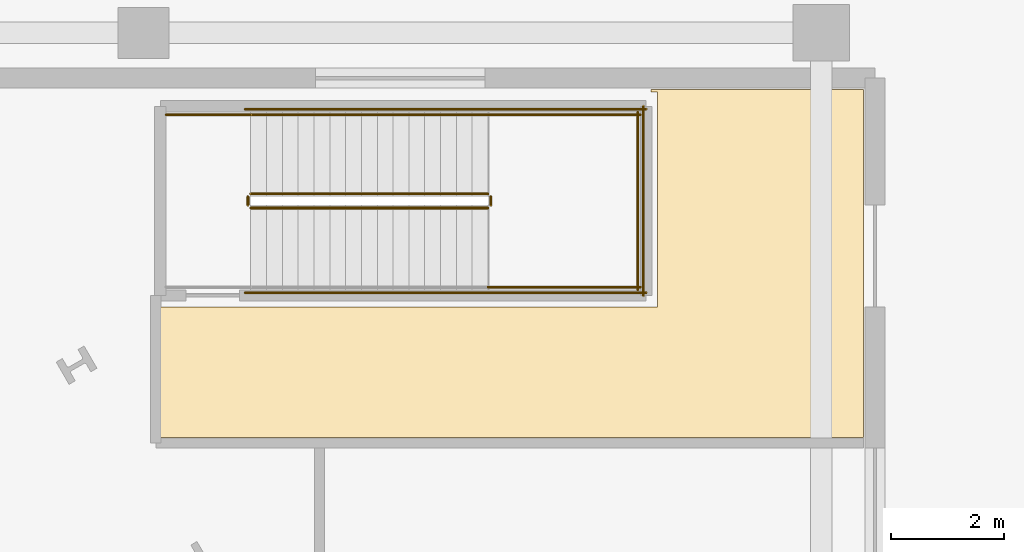
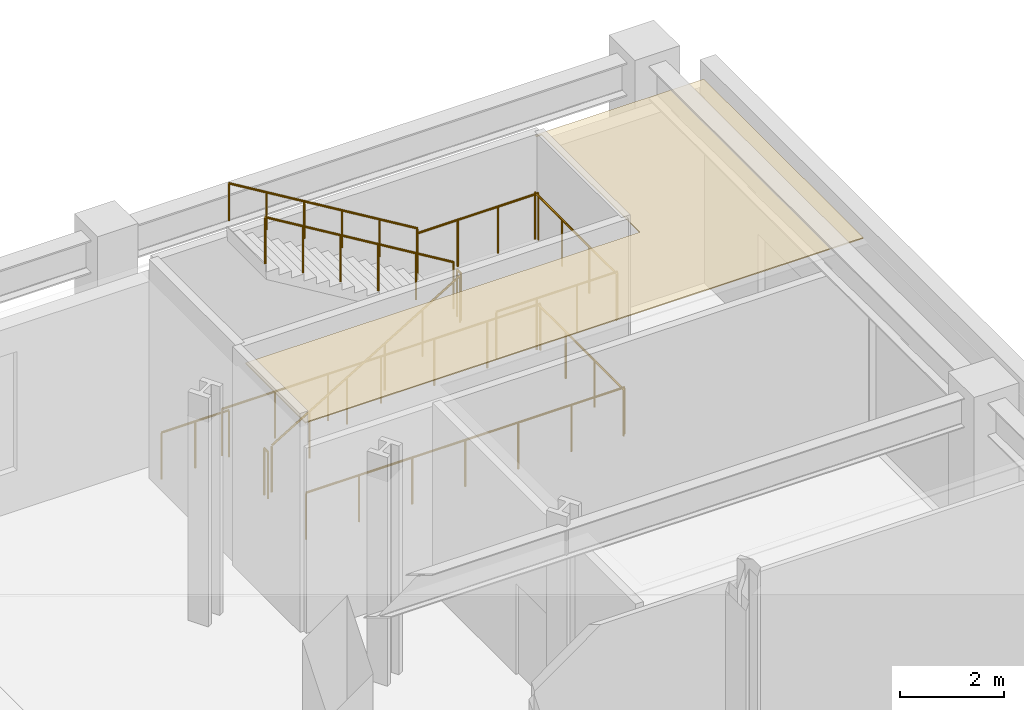
# One storey, part 17 of 18: 12 railings, 1 covering.
"""IFC4 building model written with IfcOpenShell, lengths in metres."""

import ifcopenshell
import ifcopenshell.guid

model = None  # the IFC model being written
_history = None  # IfcOwnerHistory: only IFC2X3 demands one
_inside = {}  # id of a spatial element -> (the spatial element, [elements in it])
_under = {}  # id of a project, library or spatial element -> (it, [spatial elements below it])
_declared = {}  # id of a project -> (the project, [libraries it declares])
_typed = {}  # id of a type object -> (the type object, [elements of that type])
_made_of = {}  # id of a material, layer set ... -> (it, [elements and type objects made of it])


def new_model(schema):
    """Start an empty IFC model of exactly this schema.

    Asked for "IFC4X3", IfcOpenShell would pick the latest addendum, in which some entities
    have other attributes; the version numbers below select the first issue.
    IFC2X3 requires an IfcOwnerHistory on every rooted entity: one is made here for all.
    """
    global model, _history
    if schema == "IFC4X3":
        model = ifcopenshell.file(schema_version=(4, 3, 0, 0))
    else:
        model = ifcopenshell.file(schema=schema)
    _inside.clear()
    _under.clear()
    _declared.clear()
    _typed.clear()
    _made_of.clear()
    _history = None
    if model.schema == "IFC2X3":
        org = make("IfcOrganization", Name="unknown")
        user = make(
            "IfcPersonAndOrganization",
            ThePerson=make("IfcPerson", FamilyName="unknown"),
            TheOrganization=org,
        )
        app = make(
            "IfcApplication",
            ApplicationDeveloper=org,
            Version="unknown",
            ApplicationFullName="unknown",
            ApplicationIdentifier="unknown",
        )
        _history = make(
            "IfcOwnerHistory",
            OwningUser=user,
            OwningApplication=app,
            ChangeAction="ADDED",
            CreationDate=0,
        )
    return model


def make(cls, **values):
    """One entity of the class cls with the attributes given. An attribute that is None is left unset."""
    return model.create_entity(
        cls, **{name: value for name, value in values.items() if value is not None}
    )


def rooted(cls, **values):
    """An entity with a GlobalId (a new one), such as an element, a storey or a relation."""
    return make(cls, GlobalId=ifcopenshell.guid.new(), OwnerHistory=_history, **values)


def si_unit(unit_type, name, prefix=None):
    """IfcSIUnit, for example si_unit("LENGTHUNIT", "METRE", prefix="MILLI")."""
    return make("IfcSIUnit", UnitType=unit_type, Prefix=prefix, Name=name)


def assignment(units):
    """IfcUnitAssignment: the units of a project."""
    return None if units is None else make("IfcUnitAssignment", Units=units)


def point(xyz):
    """IfcCartesianPoint."""
    return None if xyz is None else make("IfcCartesianPoint", Coordinates=xyz)


def direction(xyz):
    """IfcDirection."""
    return None if xyz is None else make("IfcDirection", DirectionRatios=xyz)


def frame(location, z_axis=None, x_axis=None):
    """IfcAxis2Placement3D, a coordinate frame: its origin and axes. An axis left out is left unset."""
    return make(
        "IfcAxis2Placement3D",
        Location=point(location),
        Axis=direction(z_axis),
        RefDirection=direction(x_axis),
    )


def frame_2d(location, x_axis=None):
    """IfcAxis2Placement2D, a coordinate frame in the plane: its origin and x axis."""
    return make(
        "IfcAxis2Placement2D", Location=point(location), RefDirection=direction(x_axis)
    )


def origin():
    """The frame at (0, 0, 0) with its axes left unset."""
    return frame((0.0, 0.0, 0.0))


def origin_2d():
    """The frame at (0, 0) in the plane with its x axis left unset."""
    return frame_2d((0.0, 0.0))


def place(relative_to, where):
    """IfcLocalPlacement: puts the frame where relative to a parent placement (None: the world)."""
    return make(
        "IfcLocalPlacement", PlacementRelTo=relative_to, RelativePlacement=where
    )


def context(
    kind, dimensions, precision=None, world=None, true_north=None, identifier=None
):
    """IfcGeometricRepresentationContext, for example the 3D "Model" context."""
    return make(
        "IfcGeometricRepresentationContext",
        ContextIdentifier=identifier,
        ContextType=kind,
        CoordinateSpaceDimension=dimensions,
        Precision=precision,
        WorldCoordinateSystem=world,
        TrueNorth=true_north,
    )


def subcontext(parent, identifier, kind, view, scale=None):
    """IfcGeometricRepresentationSubContext, for example "Body" below "Model"."""
    return make(
        "IfcGeometricRepresentationSubContext",
        ContextIdentifier=identifier,
        ContextType=kind,
        ParentContext=parent,
        TargetScale=scale,
        TargetView=view,
    )


def project(units=None, contexts=None):
    """IfcProject with its units and contexts."""
    return rooted(
        "IfcProject",
        Name="project",
        RepresentationContexts=contexts,
        UnitsInContext=assignment(units),
    )


def spatial(cls, under=None, at=None, **own):
    """A site, building, storey or space (cls), placed at a placement, below another one or the project."""
    s = rooted(cls, ObjectPlacement=at, **own)
    if under is not None:
        _under.setdefault(under.id(), (under, []))[1].append(s)
    return s


def polyline(points):
    """IfcPolyline through the points."""
    return make("IfcPolyline", Points=[point(p) for p in points])


def profile(cls, at=None, kind="AREA", **sizes):
    """A parametric profile (cls). Its sizes go by their IFC names, for example OverallWidth=200.0."""
    return make(cls, ProfileType=kind, Position=at, **sizes)


def circle(**sizes):
    """IfcCircleProfileDef."""
    return profile("IfcCircleProfileDef", **sizes)


def outline(outer, holes=None, kind="AREA"):
    """IfcArbitraryClosedProfileDef: a profile drawn as a closed curve; with holes, ...WithVoids."""
    if holes is None:
        return make("IfcArbitraryClosedProfileDef", ProfileType=kind, OuterCurve=outer)
    return make(
        "IfcArbitraryProfileDefWithVoids",
        ProfileType=kind,
        OuterCurve=outer,
        InnerCurves=holes,
    )


def extrude(swept, where, along, depth):
    """IfcExtrudedAreaSolid: the profile swept, set in the frame where, extruded along a direction by depth."""
    return make(
        "IfcExtrudedAreaSolid",
        SweptArea=swept,
        Position=where,
        ExtrudedDirection=direction(along),
        Depth=depth,
    )


def shape(context_of_items, identifier, shape_type, items):
    """IfcShapeRepresentation: the items that make up one representation, for example the "Body"."""
    return make(
        "IfcShapeRepresentation",
        ContextOfItems=context_of_items,
        RepresentationIdentifier=identifier,
        RepresentationType=shape_type,
        Items=items,
    )


def material(Name=None, Category=None):
    """IfcMaterial."""
    return make("IfcMaterial", Name=Name, Category=Category)


def layer(
    of_material, thickness, ventilated=None, Name=None, Category=None, Priority=None
):
    """IfcMaterialLayer: one layer of a wall or slab, of a material (None: an air gap)."""
    return make(
        "IfcMaterialLayer",
        Material=of_material,
        LayerThickness=thickness,
        IsVentilated=ventilated,
        Name=Name,
        Category=Category,
        Priority=Priority,
    )


def layer_set(layers, Name=None):
    """IfcMaterialLayerSet."""
    return make("IfcMaterialLayerSet", MaterialLayers=layers, LayerSetName=Name)


def made_of(thing, what):
    """Note that an element or type object is made of a material, layer set ...; save() writes the relation."""
    if what is not None:
        _made_of.setdefault(what.id(), (what, []))[1].append(thing)
    return thing


def type_object(cls, material=None, **own):
    """A type object (cls), such as IfcWallType, which elements share."""
    return made_of(rooted(cls, **own), material)


def element(
    cls,
    number,
    at=None,
    inside=None,
    cuts=None,
    type_object=None,
    material=None,
    context=None,
    identifier="Body",
    shape_type=None,
    held_by="IfcProductDefinitionShape",
    body=None,
    shapes=None,
    **own,
):
    """One element of the class cls, such as IfcWall. Its Tag is "e" and its number.

    at: its placement. inside: the storey or other place that contains it. cuts: it is an
    opening in that element (IfcRelVoidsElement). A single representation is given by context,
    identifier, shape_type and body (its items); several are given by shapes. held_by: the class
    of the entity that holds the representations. save() writes the other relations.
    """
    e = rooted(cls, Tag="e%d" % number, ObjectPlacement=at, **own)
    if body is not None:
        shapes = [shape(context, identifier, shape_type, body)]
    if shapes is not None:
        e.Representation = make(held_by, Representations=shapes)
    if inside is not None:
        _inside.setdefault(inside.id(), (inside, []))[1].append(e)
    if cuts is not None:
        rooted(
            "IfcRelVoidsElement", RelatingBuildingElement=cuts, RelatedOpeningElement=e
        )
    if type_object is not None:
        _typed.setdefault(type_object.id(), (type_object, []))[1].append(e)
    return made_of(e, material)


def aggregate(whole, parts):
    """IfcRelAggregates: a whole, such as a stair, and the parts it consists of."""
    return rooted("IfcRelAggregates", RelatingObject=whole, RelatedObjects=parts)


def save(model, path):
    """Write the relations noted so far, then the file.

    IfcRelAggregates (storeys below a building ...), IfcRelContainedInSpatialStructure (elements
    in a storey), IfcRelDefinesByType, IfcRelAssociatesMaterial and IfcRelDeclares: one each for
    every whole, place, type object, material and project.
    """
    for whole, parts in _under.values():
        aggregate(whole, parts)
    for where, things in _inside.values():
        rooted(
            "IfcRelContainedInSpatialStructure",
            RelatedElements=things,
            RelatingStructure=where,
        )
    for kind, things in _typed.values():
        rooted("IfcRelDefinesByType", RelatedObjects=things, RelatingType=kind)
    for what, things in _made_of.values():
        rooted("IfcRelAssociatesMaterial", RelatedObjects=things, RelatingMaterial=what)
    for by, libraries in _declared.values():
        rooted("IfcRelDeclares", RelatingContext=by, RelatedDefinitions=libraries)
    model.write(path)


model = new_model("IFC4")

# Units and contexts
model_context = context("Model", 3, precision=1e-05, world=origin(), true_north=direction((0.0, 1.0)))
body_context = subcontext(model_context, "Body", "Model", "MODEL_VIEW")
ifc_project = project(units=[si_unit("LENGTHUNIT", "METRE"), si_unit("AREAUNIT", "SQUARE_METRE"), si_unit("VOLUMEUNIT", "CUBIC_METRE"), si_unit("PLANEANGLEUNIT", "RADIAN"), si_unit("MASSUNIT", "GRAM", prefix="KILO")], contexts=[model_context])

# Site, building, storey
site_placement = place(None, origin())
site = spatial("IfcSite", under=ifc_project, at=site_placement, CompositionType="ELEMENT")
building_placement = place(site_placement, origin())
building = spatial("IfcBuilding", under=site, at=building_placement, Name="Valkerne Bourse Tower", CompositionType="ELEMENT")
storey_placement = place(building_placement, origin())
storey = spatial("IfcBuildingStorey", under=building, at=storey_placement, Name="L00", CompositionType="ELEMENT", Elevation=0.0)

# Covering
ifc_material_1 = material(Name="Bronze Anodised Aluminium AA 6063-T6", Category="aluminium")
ifc_layer = layer(ifc_material_1, 0.030029296875)
ifc_layer_set = layer_set([ifc_layer], Name="Bronze Anodised Aluminium AA 6063-T6")
covering_type = type_object("IfcCoveringType", Name="COV-CEIL-METAL", PredefinedType="CEILING", material=ifc_layer_set)
covering_placement = place(storey_placement, frame((0.0, 0.0, 4.81005859375)))
element("IfcCovering", 1, at=covering_placement, inside=storey, type_object=covering_type, Name="L00 Suspended Ceiling 03", PredefinedType="CEILING", context=body_context, shape_type="SweptSolid", body=[
    extrude(outline(polyline([(64.10400390625, 46.384033203125), (64.10400390625, 48.699951171875), (72.89990234375, 48.699951171875), (72.89990234375, 52.5), (72.783935546875, 52.5), (72.783935546875, 52.5458984375), (76.5458984375, 52.5458984375), (76.5458984375, 46.384033203125), (64.10400390625, 46.384033203125)])), origin(), (0.0, 0.0, 1.0), 0.02490234375),
])

# Railings
ifc_material_2 = material(Name="Galvanised Painted Steel", Category="steel")
railing_type_1 = type_object("IfcRailingType", Name="RLG-ST-GUARD-1120", PredefinedType="GUARDRAIL", material=ifc_material_2)
railing_1_placement = place(storey_placement, frame((65.699951171875, 50.449951171875, 0.168701171875)))
element("IfcRailing", 2, at=railing_1_placement, inside=storey, type_object=railing_type_1, Name="L00 ST-P2 stair guard 1", PredefinedType="GUARDRAIL", context=body_context, shape_type="SweptSolid", body=[
    extrude(circle(Radius=0.02392578125, at=origin_2d()), frame((0.0, 0.0, 1.09619140625), z_axis=(0.856476492594, 0.0, 0.516186030065), x_axis=(0.0, 1.0, 0.0)), (0.0, 0.0, 1.0), 4.90380859375),
    extrude(circle(Radius=0.02099609375, at=origin_2d()), origin(), (0.0, 0.0, 1.0), 1.072021484375),
    extrude(circle(Radius=0.02099609375, at=origin_2d()), frame((0.840087890625, 0.0, 0.50634765625)), (0.0, 0.0, 1.0), 1.072021484375),
    extrude(circle(Radius=0.02099609375, at=origin_2d()), frame((1.679931640625, 0.0, 1.012451171875)), (0.0, 0.0, 1.0), 1.072021484375),
    extrude(circle(Radius=0.02099609375, at=origin_2d()), frame((2.52001953125, 0.0, 1.518798828125)), (0.0, 0.0, 1.0), 1.072021484375),
    extrude(circle(Radius=0.02099609375, at=origin_2d()), frame((3.35986328125, 0.0, 2.02490234375)), (0.0, 0.0, 1.0), 1.072021484375),
    extrude(circle(Radius=0.02099609375, at=origin_2d()), frame((4.199951171875, 0.0, 2.53125)), (0.0, 0.0, 1.0), 1.072021484375),
])
railing_2_placement = place(storey_placement, frame((69.949951171875, 50.5, 2.699951171875)))
element("IfcRailing", 3, at=railing_2_placement, inside=storey, type_object=railing_type_1, Name="L00 ST-P2 stair guard 2", PredefinedType="GUARDRAIL", context=body_context, shape_type="SweptSolid", body=[
    extrude(circle(Radius=0.02392578125, at=origin_2d()), frame((0.0, 0.0, 1.09619140625), z_axis=(0.0, 1.0, 0.0), x_axis=(-1.0, 0.0, 0.0)), (0.0, 0.0, 1.0), 0.14990234375),
    extrude(circle(Radius=0.02099609375, at=origin_2d()), origin(), (0.0, 0.0, 1.0), 1.072021484375),
    extrude(circle(Radius=0.02099609375, at=origin_2d()), frame((0.0, 0.14990234375, 0.0)), (0.0, 0.0, 1.0), 1.072021484375),
])
for number, where, name in (
    (4, (69.89990234375, 49.050048828125, 2.699951171875), "L00 ST-P2 stair guard 3"),
    (5, (69.89990234375, 52.10009765625, 2.699951171875), "L00 ST-P2 stair guard 4"),
):
    element("IfcRailing", number, at=place(storey_placement, frame(where)), inside=storey, type_object=railing_type_1, Name=name, PredefinedType="GUARDRAIL", context=body_context, shape_type="SweptSolid", body=[
        extrude(circle(Radius=0.02392578125, at=origin_2d()), frame((0.0, 0.0, 1.09619140625), z_axis=(1.0, 0.0, 0.0), x_axis=(0.0, 1.0, 0.0)), (0.0, 0.0, 1.0), 2.7001953125),
        extrude(circle(Radius=0.02099609375, at=origin_2d()), origin(), (0.0, 0.0, 1.0), 1.072021484375),
        extrude(circle(Radius=0.02099609375, at=origin_2d()), frame((0.900146484375, 0.0, 0.0)), (0.0, 0.0, 1.0), 1.072021484375),
        extrude(circle(Radius=0.02099609375, at=origin_2d()), frame((1.800048828125, 0.0, 0.0)), (0.0, 0.0, 1.0), 1.072021484375),
        extrude(circle(Radius=0.02099609375, at=origin_2d()), frame((2.7001953125, 0.0, 0.0)), (0.0, 0.0, 1.0), 1.072021484375),
    ])
railing_3_placement = place(storey_placement, frame((72.550048828125, 49.0, 2.699951171875)))
element("IfcRailing", 6, at=railing_3_placement, inside=storey, type_object=railing_type_1, Name="L00 ST-P2 stair guard 5", PredefinedType="GUARDRAIL", context=body_context, shape_type="SweptSolid", body=[
    extrude(circle(Radius=0.02392578125, at=origin_2d()), frame((0.0, 0.0, 1.09619140625), z_axis=(0.0, 1.0, 0.0), x_axis=(-1.0, 0.0, 0.0)), (0.0, 0.0, 1.0), 3.14990234375),
    extrude(circle(Radius=0.02099609375, at=origin_2d()), origin(), (0.0, 0.0, 1.0), 1.072021484375),
    extrude(circle(Radius=0.02099609375, at=origin_2d()), frame((0.0, 1.050048828125, 0.0)), (0.0, 0.0, 1.0), 1.072021484375),
    extrude(circle(Radius=0.02099609375, at=origin_2d()), frame((0.0, 2.099853515625, 0.0)), (0.0, 0.0, 1.0), 1.072021484375),
    extrude(circle(Radius=0.02099609375, at=origin_2d()), frame((0.0, 3.14990234375, 0.0)), (0.0, 0.0, 1.0), 1.072021484375),
])
railing_4_placement = place(storey_placement, frame((69.89990234375, 50.699951171875, 2.86865234375)))
element("IfcRailing", 7, at=railing_4_placement, inside=storey, type_object=railing_type_1, Name="L00 ST-P2 stair guard 6", PredefinedType="GUARDRAIL", context=body_context, shape_type="SweptSolid", body=[
    extrude(circle(Radius=0.02392578125, at=origin_2d()), frame((0.0, 0.0, 1.09619140625), z_axis=(-0.856476492594, 0.0, 0.516186030065), x_axis=(0.0, -1.0, 0.0)), (0.0, 0.0, 1.0), 4.90380859375),
    extrude(circle(Radius=0.02099609375, at=origin_2d()), origin(), (0.0, 0.0, 1.0), 1.072021484375),
    extrude(circle(Radius=0.02099609375, at=origin_2d()), frame((-0.840087890625, 0.0, 0.50634765625)), (0.0, 0.0, 1.0), 1.072021484375),
    extrude(circle(Radius=0.02099609375, at=origin_2d()), frame((-1.679931640625, 0.0, 1.012451171875)), (0.0, 0.0, 1.0), 1.072021484375),
    extrude(circle(Radius=0.02099609375, at=origin_2d()), frame((-2.52001953125, 0.0, 1.518798828125)), (0.0, 0.0, 1.0), 1.072021484375),
    extrude(circle(Radius=0.02099609375, at=origin_2d()), frame((-3.35986328125, 0.0, 2.02490234375)), (0.0, 0.0, 1.0), 1.072021484375),
    extrude(circle(Radius=0.02099609375, at=origin_2d()), frame((-4.199951171875, 0.0, 2.53125)), (0.0, 0.0, 1.0), 1.072021484375),
])
railing_5_placement = place(storey_placement, frame((65.64990234375, 50.5, 0.0)))
element("IfcRailing", 8, at=railing_5_placement, inside=storey, type_object=railing_type_1, Name="L00 ST-P2 stair guard 7", PredefinedType="GUARDRAIL", context=body_context, shape_type="SweptSolid", body=[
    extrude(circle(Radius=0.02392578125, at=origin_2d()), frame((0.0, 0.0, 1.09619140625), z_axis=(0.0, 1.0, 0.0), x_axis=(-1.0, 0.0, 0.0)), (0.0, 0.0, 1.0), 0.14990234375),
    extrude(circle(Radius=0.02099609375, at=origin_2d()), origin(), (0.0, 0.0, 1.0), 1.072021484375),
    extrude(circle(Radius=0.02099609375, at=origin_2d()), frame((0.0, 0.14990234375, 0.0)), (0.0, 0.0, 1.0), 1.072021484375),
])
railing_6_placement = place(storey_placement, frame((64.199951171875, 52.10009765625, 0.0)))
element("IfcRailing", 9, at=railing_6_placement, inside=storey, type_object=railing_type_1, Name="L00 ST-P2 stair guard 9", PredefinedType="GUARDRAIL", context=body_context, shape_type="SweptSolid", body=[
    extrude(circle(Radius=0.02392578125, at=origin_2d()), frame((0.0, 0.0, 1.09619140625), z_axis=(1.0, 0.0, 0.0), x_axis=(0.0, 1.0, 0.0)), (0.0, 0.0, 1.0), 1.5),
    extrude(circle(Radius=0.02099609375, at=origin_2d()), origin(), (0.0, 0.0, 1.0), 1.072021484375),
    extrude(circle(Radius=0.02099609375, at=origin_2d()), frame((0.75, 0.0, 0.0)), (0.0, 0.0, 1.0), 1.072021484375),
    extrude(circle(Radius=0.02099609375, at=origin_2d()), frame((1.5, 0.0, 0.0)), (0.0, 0.0, 1.0), 1.072021484375),
])
for number, where, name in (
    (10, (65.60009765625, 48.949951171875, 0.0), "L00 ST-P2 stair guard 10"),
    (11, (65.60009765625, 52.199951171875, 0.0), "L00 ST-P2 stair guard 11"),
):
    element("IfcRailing", number, at=place(storey_placement, frame(where)), inside=storey, type_object=railing_type_1, Name=name, PredefinedType="GUARDRAIL", context=body_context, shape_type="SweptSolid", body=[
        extrude(circle(Radius=0.02392578125, at=origin_2d()), frame((0.0, 0.0, 1.09619140625), z_axis=(1.0, 0.0, 0.0), x_axis=(0.0, 1.0, 0.0)), (0.0, 0.0, 1.0), 7.099853515625),
        extrude(circle(Radius=0.02099609375, at=origin_2d()), origin(), (0.0, 0.0, 1.0), 1.072021484375),
        extrude(circle(Radius=0.02099609375, at=origin_2d()), frame((1.183349609375, 0.0, 0.0)), (0.0, 0.0, 1.0), 1.072021484375),
        extrude(circle(Radius=0.02099609375, at=origin_2d()), frame((2.36669921875, 0.0, 0.0)), (0.0, 0.0, 1.0), 1.072021484375),
        extrude(circle(Radius=0.02099609375, at=origin_2d()), frame((3.5498046875, 0.0, 0.0)), (0.0, 0.0, 1.0), 1.072021484375),
        extrude(circle(Radius=0.02099609375, at=origin_2d()), frame((4.733154296875, 0.0, 0.0)), (0.0, 0.0, 1.0), 1.072021484375),
        extrude(circle(Radius=0.02099609375, at=origin_2d()), frame((5.91650390625, 0.0, 0.0)), (0.0, 0.0, 1.0), 1.072021484375),
        extrude(circle(Radius=0.02099609375, at=origin_2d()), frame((7.099853515625, 0.0, 0.0)), (0.0, 0.0, 1.0), 1.072021484375),
    ])
railing_7_placement = place(storey_placement, frame((72.64990234375, 48.89990234375, 0.0)))
element("IfcRailing", 12, at=railing_7_placement, inside=storey, type_object=railing_type_1, Name="L00 ST-P2 stair guard 12", PredefinedType="GUARDRAIL", context=body_context, shape_type="SweptSolid", body=[
    extrude(circle(Radius=0.02392578125, at=origin_2d()), frame((0.0, 0.0, 1.09619140625), z_axis=(0.0, 1.0, 0.0), x_axis=(-1.0, 0.0, 0.0)), (0.0, 0.0, 1.0), 3.35009765625),
    extrude(circle(Radius=0.02099609375, at=origin_2d()), origin(), (0.0, 0.0, 1.0), 1.072021484375),
    extrude(circle(Radius=0.02099609375, at=origin_2d()), frame((0.0, 1.11669921875, 0.0)), (0.0, 0.0, 1.0), 1.072021484375),
    extrude(circle(Radius=0.02099609375, at=origin_2d()), frame((0.0, 2.2333984375, 0.0)), (0.0, 0.0, 1.0), 1.072021484375),
    extrude(circle(Radius=0.02099609375, at=origin_2d()), frame((0.0, 3.35009765625, 0.0)), (0.0, 0.0, 1.0), 1.072021484375),
])
ifc_material_3 = material(Name="Stainless Steel AISI 316", Category="steel")
railing_type_2 = type_object("IfcRailingType", Name="RLG-ST-HANDRAIL-900", PredefinedType="HANDRAIL", material=ifc_material_3)
railing_8_placement = place(storey_placement, frame((69.89990234375, 52.10009765625, 3.03759765625)))
element("IfcRailing", 13, at=railing_8_placement, inside=storey, type_object=railing_type_2, Name="L00 ST-P2 stair handrail 2", PredefinedType="HANDRAIL", context=body_context, shape_type="SweptSolid", body=[
    extrude(circle(Radius=0.02392578125, at=origin_2d()), frame((0.0, 0.0, 0.8759765625), z_axis=(-0.856476492594, 0.0, 0.516186030065), x_axis=(0.0, -1.0, 0.0)), (0.0, 0.0, 1.0), 4.90380859375),
    extrude(circle(Radius=0.02099609375, at=origin_2d()), origin(), (0.0, 0.0, 1.0), 0.851806640625),
    extrude(circle(Radius=0.02099609375, at=origin_2d()), frame((-0.840087890625, 0.0, 0.50634765625)), (0.0, 0.0, 1.0), 0.851806640625),
    extrude(circle(Radius=0.02099609375, at=origin_2d()), frame((-1.679931640625, 0.0, 1.012451171875)), (0.0, 0.0, 1.0), 0.851806640625),
    extrude(circle(Radius=0.02099609375, at=origin_2d()), frame((-2.52001953125, 0.0, 1.518798828125)), (0.0, 0.0, 1.0), 0.851806640625),
    extrude(circle(Radius=0.02099609375, at=origin_2d()), frame((-3.35986328125, 0.0, 2.02490234375)), (0.0, 0.0, 1.0), 0.851806640625),
    extrude(circle(Radius=0.02099609375, at=origin_2d()), frame((-4.199951171875, 0.0, 2.53125)), (0.0, 0.0, 1.0), 0.851806640625),
])

save(model, "model.ifc")
